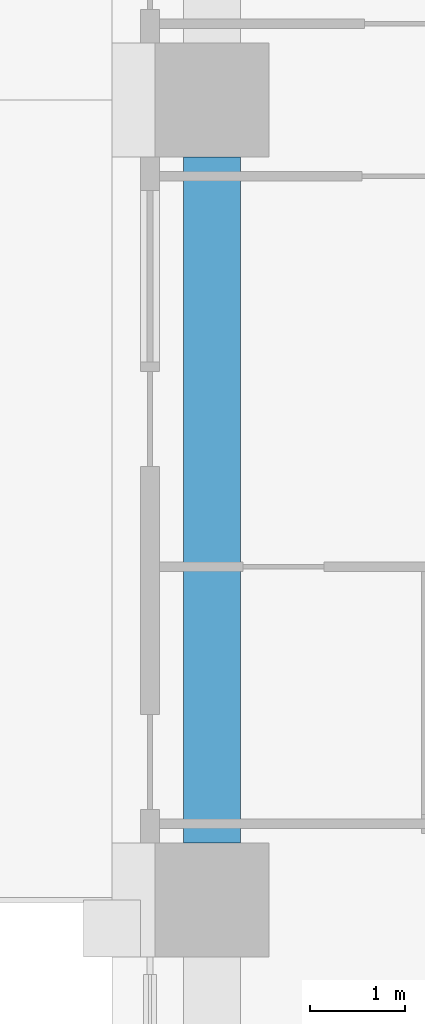
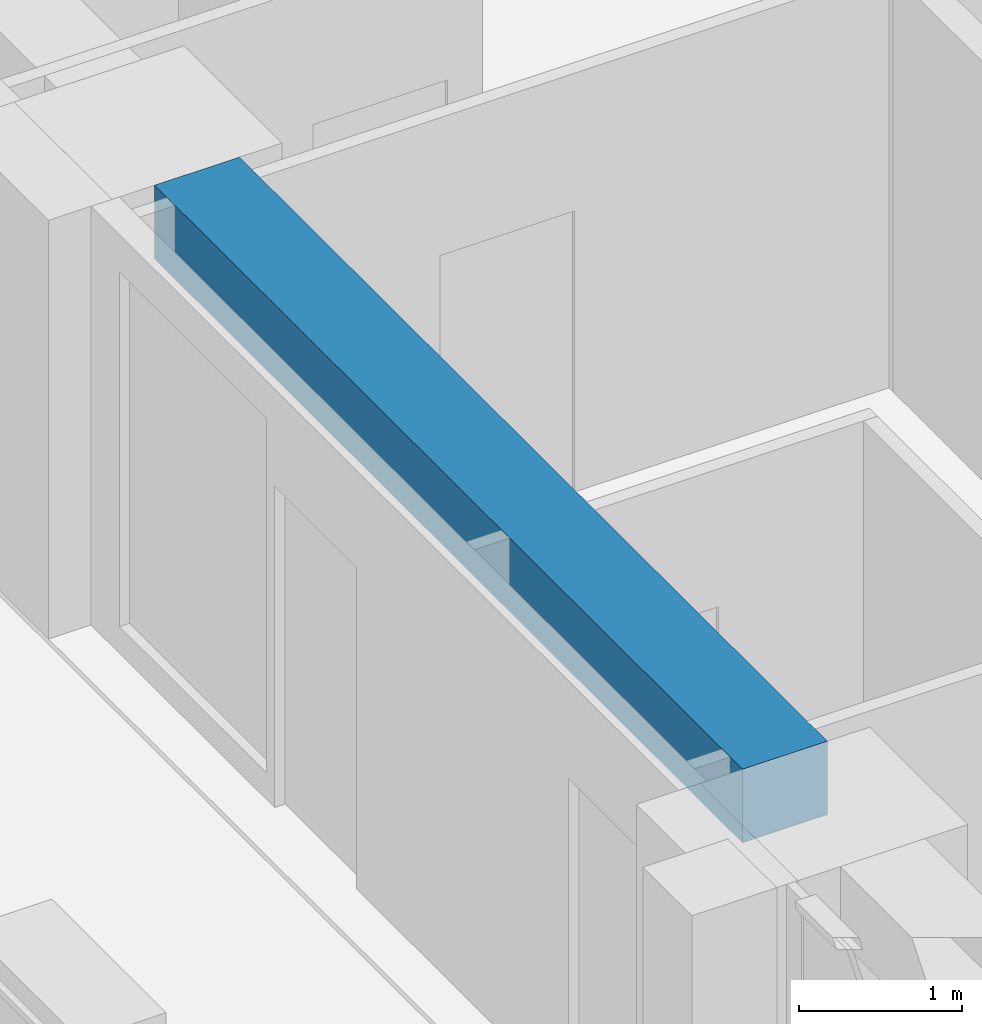
# One storey, part 3 of 16: 1 beam.
"""IFC4 building model written with IfcOpenShell, lengths in metres."""

from ifc_helpers import new_model, si_unit, direction, frame, origin, origin_2d, place, context, subcontext, project, spatial, rectangle, extrude, material, material_profile, profile_set, type_object, element, save


model = new_model("IFC4")

# Units and contexts
model_context = context("Model", 3, precision=1e-05, world=origin(), true_north=direction((0.0, 1.0)))
body_context = subcontext(model_context, "Body", "Model", "MODEL_VIEW")
ifc_project = project(units=[si_unit("LENGTHUNIT", "METRE"), si_unit("AREAUNIT", "SQUARE_METRE"), si_unit("VOLUMEUNIT", "CUBIC_METRE"), si_unit("PLANEANGLEUNIT", "RADIAN"), si_unit("MASSUNIT", "GRAM", prefix="KILO")], contexts=[model_context])

# Site, building, storey
site_placement = place(None, origin())
site = spatial("IfcSite", under=ifc_project, at=site_placement, CompositionType="ELEMENT")
building_placement = place(site_placement, origin())
building = spatial("IfcBuilding", under=site, at=building_placement, Name="Vermilion Ogive Tower", CompositionType="ELEMENT")
storey_placement = place(building_placement, frame((0.0, 0.0, 101.10009765625)))
storey = spatial("IfcBuildingStorey", under=building, at=storey_placement, Name="L25", CompositionType="ELEMENT", Elevation=101.10009765625)

# Beam
ifc_material = material(Name="Concrete B45", Category="concrete")
ifc_material_profile = material_profile(ifc_material, rectangle(XDim=0.60009765625, YDim=0.550048828125, at=origin_2d()), Name="600 x 550")
ifc_profile_set = profile_set([ifc_material_profile], Name="Concrete B45")
beam_type = type_object("IfcBeamType", Name="Edge beam 600 x 550 B45", PredefinedType="BEAM", material=ifc_profile_set)
beam_placement = place(storey_placement, frame((-25.199951171875, 3.60009765625, 2.85498046875), z_axis=(0.0, -1.0, 0.0), x_axis=(1.0, 0.0, 0.0)))
element("IfcBeam", 1, at=beam_placement, inside=storey, type_object=beam_type, Name="L25-EB-15", PredefinedType="BEAM", context=body_context, shape_type="SweptSolid", body=[
    extrude(rectangle(XDim=0.60009765625, YDim=0.550048828125, at=origin_2d()), origin(), (0.0, 0.0, 1.0), 7.2001953125),
])

save(model, "model.ifc")
